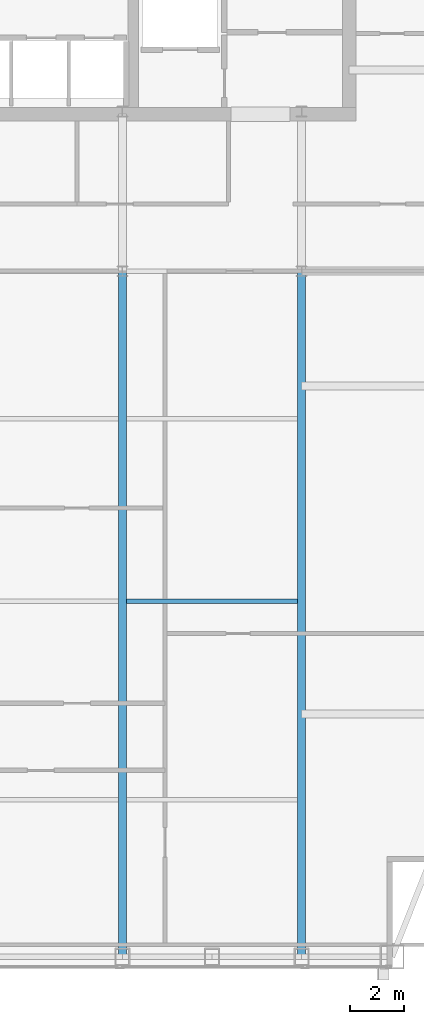
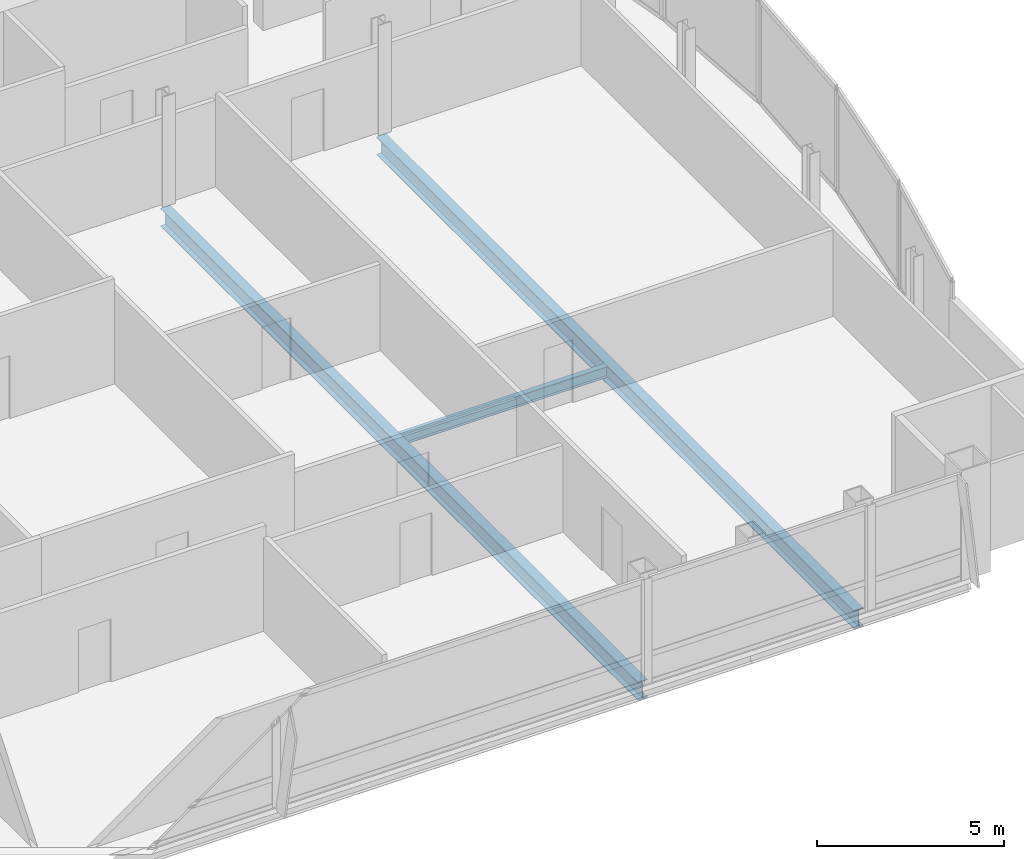
# One storey, part 15 of 29: 3 beams.
"""IFC4 building model written with IfcOpenShell, lengths in metres."""

from ifc_helpers import new_model, si_unit, direction, frame, origin, origin_2d, place, context, subcontext, project, spatial, i_section, extrude, material, material_profile, profile_set, type_object, element, save


model = new_model("IFC4")

# Units and contexts
model_context = context("Model", 3, precision=1e-05, world=origin(), true_north=direction((0.0, 1.0)))
body_context = subcontext(model_context, "Body", "Model", "MODEL_VIEW")
ifc_project = project(units=[si_unit("LENGTHUNIT", "METRE"), si_unit("AREAUNIT", "SQUARE_METRE"), si_unit("VOLUMEUNIT", "CUBIC_METRE"), si_unit("PLANEANGLEUNIT", "RADIAN"), si_unit("MASSUNIT", "GRAM", prefix="KILO")], contexts=[model_context])

# Site, building, storey
site_placement = place(None, origin())
site = spatial("IfcSite", under=ifc_project, at=site_placement, CompositionType="ELEMENT")
building_placement = place(site_placement, origin())
building = spatial("IfcBuilding", under=site, at=building_placement, Name="Khoronbel Lancet Exchange", CompositionType="ELEMENT")
storey_placement = place(building_placement, frame((0.0, 0.0, 318.199951171875)))
storey = spatial("IfcBuildingStorey", under=building, at=storey_placement, Name="L82", CompositionType="ELEMENT", Elevation=318.199951171875)

# Beams
ifc_material = material(Name="Steel S355", Category="steel")
ifc_material_profile_1 = material_profile(ifc_material, i_section(OverallWidth=0.300048828125, OverallDepth=0.60009765625, WebThickness=0.015380859375, FlangeThickness=0.030029296875, at=origin_2d()), Name="HEB 600")
ifc_profile_set_1 = profile_set([ifc_material_profile_1], Name="Steel S355")
beam_type_1 = type_object("IfcBeamType", Name="BM-BG5", PredefinedType="BEAM", material=ifc_profile_set_1)
for number, where, z_axis, x_axis, name in (
    (1, (48.0, 10.14990234375, -0.4599609375), (0.0, 1.0, 0.0), (-1.0, 0.0, 0.0), "Level L82 south primary girder GS5"),
    (2, (54.675048828125, 10.14990234375, -0.4599609375), (0.0, 1.0, 0.0), (-1.0, 0.0, 0.0), "Level L82 south primary girder GS6"),
):
    element("IfcBeam", number, at=place(storey_placement, frame(where, z_axis=z_axis, x_axis=x_axis)), inside=storey, type_object=beam_type_1, Name=name, PredefinedType="BEAM", context=body_context, shape_type="SweptSolid", body=[
        extrude(i_section(OverallWidth=0.300048828125, OverallDepth=0.60009765625, WebThickness=0.015380859375, FlangeThickness=0.030029296875, at=origin_2d()), origin(), (0.0, 0.0, 1.0), 25.550048828125),
    ])
ifc_material_profile_2 = material_profile(ifc_material, i_section(OverallWidth=0.169921875, OverallDepth=0.360107421875, WebThickness=0.008056640625, FlangeThickness=0.0126953125, at=origin_2d()), Name="IPE 360")
ifc_profile_set_2 = profile_set([ifc_material_profile_2], Name="Steel S355")
beam_type_2 = type_object("IfcBeamType", Name="BM-BJ6", PredefinedType="JOIST", material=ifc_profile_set_2)
beam_placement = place(storey_placement, frame((48.14990234375, 23.39990234375, -0.33984375), z_axis=(1.0, 0.0, 0.0), x_axis=(0.0, 1.0, 0.0)))
element("IfcBeam", 3, at=beam_placement, inside=storey, type_object=beam_type_2, Name="Level L82 secondary composite joist J06", PredefinedType="JOIST", context=body_context, shape_type="SweptSolid", body=[
    extrude(i_section(OverallWidth=0.169921875, OverallDepth=0.360107421875, WebThickness=0.008056640625, FlangeThickness=0.0126953125, at=origin_2d()), origin(), (0.0, 0.0, 1.0), 6.375),
])

save(model, "model.ifc")
